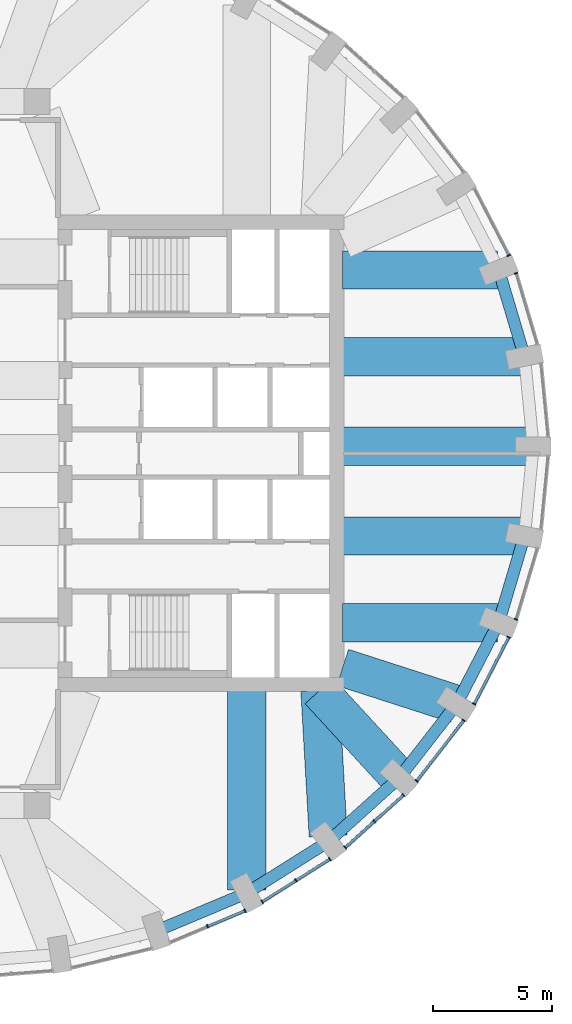
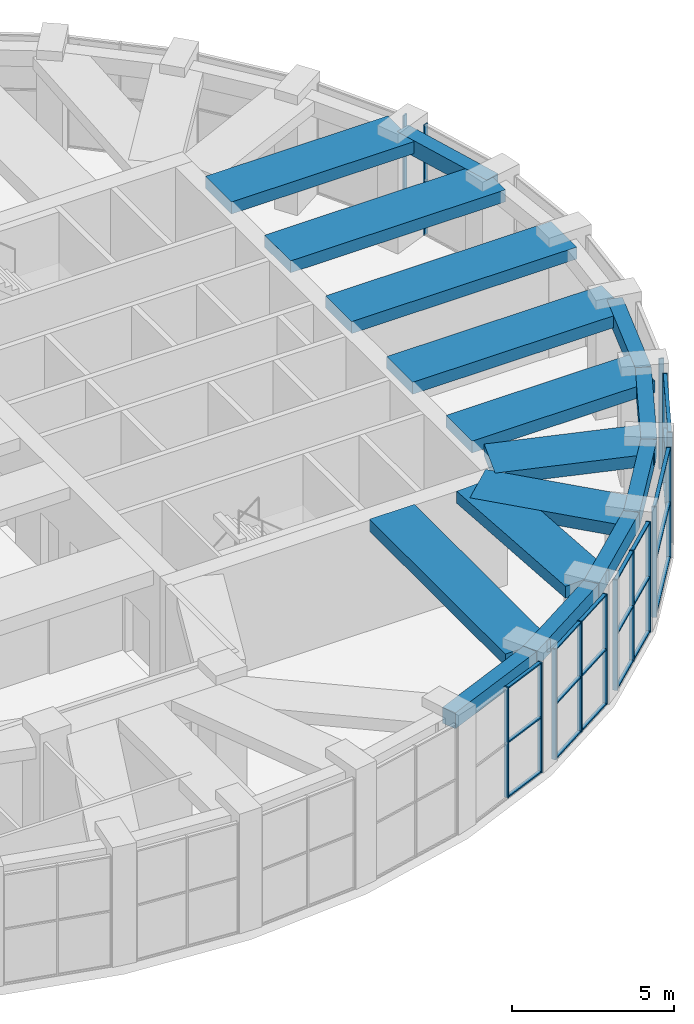
# One storey, part 6 of 17: 36 members, 16 beams, 8 elements without a shape of their own.
"""IFC4 building model written with IfcOpenShell, lengths in metres."""

from ifc_helpers import new_model, si_unit, direction, frame, origin, origin_2d, place, context, subcontext, project, spatial, rectangle, extrude, material, material_profile, profile_set, type_object, element, aggregate, save


model = new_model("IFC4")

# Units and contexts
model_context = context("Model", 3, precision=1e-05, world=origin(), true_north=direction((0.0, 1.0)))
body_context = subcontext(model_context, "Body", "Model", "MODEL_VIEW")
ifc_project = project(units=[si_unit("LENGTHUNIT", "METRE"), si_unit("AREAUNIT", "SQUARE_METRE"), si_unit("VOLUMEUNIT", "CUBIC_METRE"), si_unit("PLANEANGLEUNIT", "RADIAN"), si_unit("MASSUNIT", "GRAM", prefix="KILO")], contexts=[model_context])

# Site, building, storey
site_placement = place(None, origin())
site = spatial("IfcSite", under=ifc_project, at=site_placement, CompositionType="ELEMENT")
building_placement = place(site_placement, origin())
building = spatial("IfcBuilding", under=site, at=building_placement, Name="Taillehof Tower", CompositionType="ELEMENT")
storey_placement = place(building_placement, frame((0.0, 0.0, 259.699951171875)))
storey = spatial("IfcBuildingStorey", under=building, at=storey_placement, Name="L74", CompositionType="ELEMENT", Elevation=259.699951171875)

# Curtain wall, member
ifc_material_1 = material(Name="Aluminium curtain wall with Clear low-emissivity double glazing", Category="aluminium")
curtain_wall_type = type_object("IfcCurtainWallType", Name="Club lounge curtain wall", PredefinedType="USERDEFINED", material=ifc_material_1)
curtain_wall_1_placement = place(storey_placement, origin())
curtain_wall_1 = element("IfcCurtainWall", 1, at=curtain_wall_1_placement, inside=storey, type_object=curtain_wall_type, Name="Club lounge L74 bay 2", ObjectType="WINDOW WALL", PredefinedType="USERDEFINED")
ifc_material_2 = material(Name="Aluminium mullion", Category="aluminium")
ifc_material_profile_1 = material_profile(ifc_material_2, rectangle(XDim=0.159912109375, YDim=0.050048828125, at=origin_2d()), Name="AL 50x160")
ifc_profile_set_1 = profile_set([ifc_material_profile_1], Name="Aluminium mullion")
member_type_1 = type_object("IfcMemberType", Name="Club lounge mullion 50x160", PredefinedType="MULLION", material=ifc_profile_set_1)
member_1_placement = place(storey_placement, frame((23.2275390625, 7.5615234375, 0.0), z_axis=(0.0, 0.0, 1.0), x_axis=(-0.958457446134, -0.285235558707, 0.0)))
member_1 = element("IfcMember", 2, at=member_1_placement, type_object=member_type_1, Name="CT4E02 mullion 2", PredefinedType="MULLION", context=body_context, shape_type="SweptSolid", body=[
    extrude(rectangle(XDim=0.159912109375, YDim=0.050048828125, at=origin_2d()), origin(), (0.0, 0.0, 1.0), 4.150146484375),
])
aggregate(curtain_wall_1, [member_1])

curtain_wall_2_placement = place(storey_placement, origin())
curtain_wall_2 = element("IfcCurtainWall", 3, at=curtain_wall_2_placement, inside=storey, type_object=curtain_wall_type, Name="Club lounge L74 bay 3", ObjectType="WINDOW WALL", PredefinedType="USERDEFINED")
member_2_placement = place(storey_placement, frame((22.92431640625, 8.3125, 0.0), z_axis=(0.0, 0.0, 1.0), x_axis=(-0.887975262702, -0.459891218474, 0.0)))
member_2 = element("IfcMember", 4, at=member_2_placement, type_object=member_type_1, Name="CT4E03 mullion 1", PredefinedType="MULLION", context=body_context, shape_type="SweptSolid", body=[
    extrude(rectangle(XDim=0.159912109375, YDim=0.050048828125, at=origin_2d()), origin(), (0.0, 0.0, 1.0), 4.150146484375),
])
aggregate(curtain_wall_2, [member_2])

# Curtain wall, members
curtain_wall_3_placement = place(storey_placement, origin())
curtain_wall_3 = element("IfcCurtainWall", 5, at=curtain_wall_3_placement, inside=storey, type_object=curtain_wall_type, Name="Club lounge L74 bay 30", ObjectType="WINDOW WALL", PredefinedType="USERDEFINED")
member_3_placement = place(storey_placement, frame((10.28076171875, -19.852783203125, 0.0), z_axis=(0.0, 0.0, 1.0), x_axis=(-0.387100713636, 0.922037438233, 0.0)))
member_3 = element("IfcMember", 6, at=member_3_placement, type_object=member_type_1, Name="CT4E30 mullion 2", PredefinedType="MULLION", context=body_context, shape_type="SweptSolid", body=[
    extrude(rectangle(XDim=0.159912109375, YDim=0.050048828125, at=origin_2d()), origin(), (0.0, 0.0, 1.0), 4.150146484375),
])
member_4_placement = place(storey_placement, frame((11.855224609375, -19.191650390625, 0.0), z_axis=(0.0, 0.0, 1.0), x_axis=(-0.387100713636, 0.922037438233, 0.0)))
member_4 = element("IfcMember", 7, at=member_4_placement, type_object=member_type_1, Name="CT4E30 mullion 3", PredefinedType="MULLION", context=body_context, shape_type="SweptSolid", body=[
    extrude(rectangle(XDim=0.159912109375, YDim=0.050048828125, at=origin_2d()), origin(), (0.0, 0.0, 1.0), 4.150146484375),
])

curtain_wall_4_placement = place(storey_placement, origin())
curtain_wall_4 = element("IfcCurtainWall", 8, at=curtain_wall_4_placement, inside=storey, type_object=curtain_wall_type, Name="Club lounge L74 bay 31", ObjectType="WINDOW WALL", PredefinedType="USERDEFINED")
member_5_placement = place(storey_placement, frame((12.57373046875, -18.817626953125, 0.0), z_axis=(0.0, 0.0, 1.0), x_axis=(-0.533294430468, 0.845929695916, 0.0)))
member_5 = element("IfcMember", 9, at=member_5_placement, type_object=member_type_1, Name="CT4E31 mullion 1", PredefinedType="MULLION", context=body_context, shape_type="SweptSolid", body=[
    extrude(rectangle(XDim=0.159912109375, YDim=0.050048828125, at=origin_2d()), origin(), (0.0, 0.0, 1.0), 4.150146484375),
])
member_6_placement = place(storey_placement, frame((13.99365234375, -17.922607421875, 0.0), z_axis=(0.0, 0.0, 1.0), x_axis=(-0.533294430468, 0.845929695916, 0.0)))
member_6 = element("IfcMember", 10, at=member_6_placement, type_object=member_type_1, Name="CT4E31 mullion 2", PredefinedType="MULLION", context=body_context, shape_type="SweptSolid", body=[
    extrude(rectangle(XDim=0.159912109375, YDim=0.050048828125, at=origin_2d()), origin(), (0.0, 0.0, 1.0), 4.150146484375),
])
member_7_placement = place(storey_placement, frame((15.41357421875, -17.02734375, 0.0), z_axis=(0.0, 0.0, 1.0), x_axis=(-0.533294430468, 0.845929695916, 0.0)))
member_7 = element("IfcMember", 11, at=member_7_placement, type_object=member_type_1, Name="CT4E31 mullion 3", PredefinedType="MULLION", context=body_context, shape_type="SweptSolid", body=[
    extrude(rectangle(XDim=0.159912109375, YDim=0.050048828125, at=origin_2d()), origin(), (0.0, 0.0, 1.0), 4.150146484375),
])

curtain_wall_5_placement = place(storey_placement, origin())
curtain_wall_5 = element("IfcCurtainWall", 12, at=curtain_wall_5_placement, inside=storey, type_object=curtain_wall_type, Name="Club lounge L74 bay 32", ObjectType="WINDOW WALL", PredefinedType="USERDEFINED")
member_8_placement = place(storey_placement, frame((16.0595703125, -16.53857421875, 0.0), z_axis=(0.0, 0.0, 1.0), x_axis=(-0.669107157872, 0.74316593792, 0.0)))
member_8 = element("IfcMember", 13, at=member_8_placement, type_object=member_type_1, Name="CT4E32 mullion 1", PredefinedType="MULLION", context=body_context, shape_type="SweptSolid", body=[
    extrude(rectangle(XDim=0.159912109375, YDim=0.050048828125, at=origin_2d()), origin(), (0.0, 0.0, 1.0), 4.150146484375),
])
member_9_placement = place(storey_placement, frame((17.281982421875, -15.43798828125, 0.0), z_axis=(0.0, 0.0, 1.0), x_axis=(-0.669107157872, 0.74316593792, 0.0)))
member_9 = element("IfcMember", 14, at=member_9_placement, type_object=member_type_1, Name="CT4E32 mullion 2", PredefinedType="MULLION", context=body_context, shape_type="SweptSolid", body=[
    extrude(rectangle(XDim=0.159912109375, YDim=0.050048828125, at=origin_2d()), origin(), (0.0, 0.0, 1.0), 4.150146484375),
])
member_10_placement = place(storey_placement, frame((18.50439453125, -14.33740234375, 0.0), z_axis=(0.0, 0.0, 1.0), x_axis=(-0.669107157872, 0.74316593792, 0.0)))
member_10 = element("IfcMember", 15, at=member_10_placement, type_object=member_type_1, Name="CT4E32 mullion 3", PredefinedType="MULLION", context=body_context, shape_type="SweptSolid", body=[
    extrude(rectangle(XDim=0.159912109375, YDim=0.050048828125, at=origin_2d()), origin(), (0.0, 0.0, 1.0), 4.150146484375),
])

curtain_wall_6_placement = place(storey_placement, origin())
curtain_wall_6 = element("IfcCurtainWall", 16, at=curtain_wall_6_placement, inside=storey, type_object=curtain_wall_type, Name="Club lounge L74 bay 33", ObjectType="WINDOW WALL", PredefinedType="USERDEFINED")
member_11_placement = place(storey_placement, frame((19.05615234375, -13.744384765625, 0.0), z_axis=(0.0, 0.0, 1.0), x_axis=(-0.789381612432, 0.613902818005, 0.0)))
member_11 = element("IfcMember", 17, at=member_11_placement, type_object=member_type_1, Name="CT4E33 mullion 1", PredefinedType="MULLION", context=body_context, shape_type="SweptSolid", body=[
    extrude(rectangle(XDim=0.159912109375, YDim=0.050048828125, at=origin_2d()), origin(), (0.0, 0.0, 1.0), 4.150146484375),
])
member_12_placement = place(storey_placement, frame((21.033935546875, -11.201416015625, 0.0), z_axis=(0.0, 0.0, 1.0), x_axis=(-0.789381612432, 0.613902818005, 0.0)))
member_12 = element("IfcMember", 18, at=member_12_placement, type_object=member_type_1, Name="CT4E33 mullion 2", PredefinedType="MULLION", context=body_context, shape_type="SweptSolid", body=[
    extrude(rectangle(XDim=0.159912109375, YDim=0.050048828125, at=origin_2d()), origin(), (0.0, 0.0, 1.0), 4.150146484375),
])

curtain_wall_7_placement = place(storey_placement, origin())
curtain_wall_7 = element("IfcCurtainWall", 19, at=curtain_wall_7_placement, inside=storey, type_object=curtain_wall_type, Name="Club lounge L74 bay 34", ObjectType="WINDOW WALL", PredefinedType="USERDEFINED")
member_13_placement = place(storey_placement, frame((21.470703125, -10.51904296875, 0.0), z_axis=(0.0, 0.0, 1.0), x_axis=(-0.887975262702, 0.459891218474, 0.0)))
member_13 = element("IfcMember", 20, at=member_13_placement, type_object=member_type_1, Name="CT4E34 mullion 1", PredefinedType="MULLION", context=body_context, shape_type="SweptSolid", body=[
    extrude(rectangle(XDim=0.159912109375, YDim=0.050048828125, at=origin_2d()), origin(), (0.0, 0.0, 1.0), 4.150146484375),
])
member_14_placement = place(storey_placement, frame((22.92431640625, -7.71240234375, 0.0), z_axis=(0.0, 0.0, 1.0), x_axis=(-0.887975262702, 0.459891218474, 0.0)))
member_14 = element("IfcMember", 21, at=member_14_placement, type_object=member_type_1, Name="CT4E34 mullion 2", PredefinedType="MULLION", context=body_context, shape_type="SweptSolid", body=[
    extrude(rectangle(XDim=0.159912109375, YDim=0.050048828125, at=origin_2d()), origin(), (0.0, 0.0, 1.0), 4.150146484375),
])

# Curtain wall, member
curtain_wall_8_placement = place(storey_placement, origin())
curtain_wall_8 = element("IfcCurtainWall", 22, at=curtain_wall_8_placement, inside=storey, type_object=curtain_wall_type, Name="Club lounge L74 bay 35", ObjectType="WINDOW WALL", PredefinedType="USERDEFINED")
member_15_placement = place(storey_placement, frame((23.2275390625, -6.96142578125, 0.0), z_axis=(0.0, 0.0, 1.0), x_axis=(-0.958457446134, 0.285235558707, 0.0)))
member_15 = element("IfcMember", 23, at=member_15_placement, type_object=member_type_1, Name="CT4E35 mullion 1", PredefinedType="MULLION", context=body_context, shape_type="SweptSolid", body=[
    extrude(rectangle(XDim=0.159912109375, YDim=0.050048828125, at=origin_2d()), origin(), (0.0, 0.0, 1.0), 4.150146484375),
])
aggregate(curtain_wall_8, [member_15])

# Member
ifc_material_3 = material(Name="Aluminium transom", Category="aluminium")
ifc_material_profile_2 = material_profile(ifc_material_3, rectangle(XDim=0.1201171875, YDim=0.050048828125, at=origin_2d()), Name="AL 120x50")
ifc_profile_set_2 = profile_set([ifc_material_profile_2], Name="Aluminium transom")
member_type_2 = type_object("IfcMemberType", Name="Club lounge transom 120x50", PredefinedType="USERDEFINED", material=ifc_profile_set_2)
member_16_placement = place(storey_placement, frame((10.3037109375, -19.843017578125, 0.025146484375), z_axis=(0.922067261449, 0.387029669875, 0.0), x_axis=(-0.387029669875, 0.922067261449, 0.0)))
member_16 = element("IfcMember", 24, at=member_16_placement, type_object=member_type_2, Name="CT4E30 transom 2.1", ObjectType="TRANSOM", PredefinedType="USERDEFINED", context=body_context, shape_type="SweptSolid", body=[
    extrude(rectangle(XDim=0.1201171875, YDim=0.050048828125, at=origin_2d()), origin(), (0.0, 0.0, 1.0), 1.65771484375),
])

member_17_placement = place(storey_placement, frame((10.3037109375, -19.843017578125, 2.074951171875), z_axis=(0.922067261449, 0.387029669875, 0.0), x_axis=(-0.387029669875, 0.922067261449, 0.0)))
member_17 = element("IfcMember", 25, at=member_17_placement, type_object=member_type_2, Name="CT4E30 transom 2.2", ObjectType="TRANSOM", PredefinedType="USERDEFINED", context=body_context, shape_type="SweptSolid", body=[
    extrude(rectangle(XDim=0.1201171875, YDim=0.050048828125, at=origin_2d()), origin(), (0.0, 0.0, 1.0), 1.65771484375),
])

member_18_placement = place(storey_placement, frame((10.3037109375, -19.843017578125, 4.125), z_axis=(0.922067261449, 0.387029669875, 0.0), x_axis=(-0.387029669875, 0.922067261449, 0.0)))
member_18 = element("IfcMember", 26, at=member_18_placement, type_object=member_type_2, Name="CT4E30 transom 2.3", ObjectType="TRANSOM", PredefinedType="USERDEFINED", context=body_context, shape_type="SweptSolid", body=[
    extrude(rectangle(XDim=0.1201171875, YDim=0.050048828125, at=origin_2d()), origin(), (0.0, 0.0, 1.0), 1.65771484375),
])

aggregate(curtain_wall_3, [member_3, member_4, member_16, member_17, member_18])

member_19_placement = place(storey_placement, frame((12.594970703125, -18.804443359375, 0.025146484375), z_axis=(0.845894728647, 0.533349892704, 0.0), x_axis=(-0.533349892704, 0.845894728647, 0.0)))
member_19 = element("IfcMember", 27, at=member_19_placement, type_object=member_type_2, Name="CT4E31 transom 1.1", ObjectType="TRANSOM", PredefinedType="USERDEFINED", context=body_context, shape_type="SweptSolid", body=[
    extrude(rectangle(XDim=0.1201171875, YDim=0.050048828125, at=origin_2d()), origin(), (0.0, 0.0, 1.0), 1.628662109375),
])

member_20_placement = place(storey_placement, frame((12.594970703125, -18.804443359375, 2.074951171875), z_axis=(0.845894728647, 0.533349892704, 0.0), x_axis=(-0.533349892704, 0.845894728647, 0.0)))
member_20 = element("IfcMember", 28, at=member_20_placement, type_object=member_type_2, Name="CT4E31 transom 1.2", ObjectType="TRANSOM", PredefinedType="USERDEFINED", context=body_context, shape_type="SweptSolid", body=[
    extrude(rectangle(XDim=0.1201171875, YDim=0.050048828125, at=origin_2d()), origin(), (0.0, 0.0, 1.0), 1.628662109375),
])

member_21_placement = place(storey_placement, frame((12.594970703125, -18.804443359375, 4.125), z_axis=(0.845894728647, 0.533349892704, 0.0), x_axis=(-0.533349892704, 0.845894728647, 0.0)))
member_21 = element("IfcMember", 29, at=member_21_placement, type_object=member_type_2, Name="CT4E31 transom 1.3", ObjectType="TRANSOM", PredefinedType="USERDEFINED", context=body_context, shape_type="SweptSolid", body=[
    extrude(rectangle(XDim=0.1201171875, YDim=0.050048828125, at=origin_2d()), origin(), (0.0, 0.0, 1.0), 1.628662109375),
])

member_22_placement = place(storey_placement, frame((14.014892578125, -17.9091796875, 0.025146484375), z_axis=(0.845962356538, 0.533242619565, 0.0), x_axis=(-0.533242619565, 0.845962356538, 0.0)))
member_22 = element("IfcMember", 30, at=member_22_placement, type_object=member_type_2, Name="CT4E31 transom 2.1", ObjectType="TRANSOM", PredefinedType="USERDEFINED", context=body_context, shape_type="SweptSolid", body=[
    extrude(rectangle(XDim=0.1201171875, YDim=0.050048828125, at=origin_2d()), origin(), (0.0, 0.0, 1.0), 1.628662109375),
])

member_23_placement = place(storey_placement, frame((14.014892578125, -17.9091796875, 2.074951171875), z_axis=(0.845962356538, 0.533242619565, 0.0), x_axis=(-0.533242619565, 0.845962356538, 0.0)))
member_23 = element("IfcMember", 31, at=member_23_placement, type_object=member_type_2, Name="CT4E31 transom 2.2", ObjectType="TRANSOM", PredefinedType="USERDEFINED", context=body_context, shape_type="SweptSolid", body=[
    extrude(rectangle(XDim=0.1201171875, YDim=0.050048828125, at=origin_2d()), origin(), (0.0, 0.0, 1.0), 1.628662109375),
])

member_24_placement = place(storey_placement, frame((14.014892578125, -17.9091796875, 4.125), z_axis=(0.845962356538, 0.533242619565, 0.0), x_axis=(-0.533242619565, 0.845962356538, 0.0)))
member_24 = element("IfcMember", 32, at=member_24_placement, type_object=member_type_2, Name="CT4E31 transom 2.3", ObjectType="TRANSOM", PredefinedType="USERDEFINED", context=body_context, shape_type="SweptSolid", body=[
    extrude(rectangle(XDim=0.1201171875, YDim=0.050048828125, at=origin_2d()), origin(), (0.0, 0.0, 1.0), 1.628662109375),
])

aggregate(curtain_wall_4, [member_5, member_6, member_7, member_19, member_20, member_21, member_22, member_23, member_24])

member_25_placement = place(storey_placement, frame((16.078125, -16.52197265625, 0.025146484375), z_axis=(0.743179963332, 0.669091579757, 0.0), x_axis=(-0.669091579757, 0.743179963332, 0.0)))
member_25 = element("IfcMember", 33, at=member_25_placement, type_object=member_type_2, Name="CT4E32 transom 1.1", ObjectType="TRANSOM", PredefinedType="USERDEFINED", context=body_context, shape_type="SweptSolid", body=[
    extrude(rectangle(XDim=0.1201171875, YDim=0.050048828125, at=origin_2d()), origin(), (0.0, 0.0, 1.0), 1.594970703125),
])

member_26_placement = place(storey_placement, frame((16.078125, -16.52197265625, 2.074951171875), z_axis=(0.743179963332, 0.669091579757, 0.0), x_axis=(-0.669091579757, 0.743179963332, 0.0)))
member_26 = element("IfcMember", 34, at=member_26_placement, type_object=member_type_2, Name="CT4E32 transom 1.2", ObjectType="TRANSOM", PredefinedType="USERDEFINED", context=body_context, shape_type="SweptSolid", body=[
    extrude(rectangle(XDim=0.1201171875, YDim=0.050048828125, at=origin_2d()), origin(), (0.0, 0.0, 1.0), 1.594970703125),
])

member_27_placement = place(storey_placement, frame((16.078125, -16.52197265625, 4.125), z_axis=(0.743179963332, 0.669091579757, 0.0), x_axis=(-0.669091579757, 0.743179963332, 0.0)))
member_27 = element("IfcMember", 35, at=member_27_placement, type_object=member_type_2, Name="CT4E32 transom 1.3", ObjectType="TRANSOM", PredefinedType="USERDEFINED", context=body_context, shape_type="SweptSolid", body=[
    extrude(rectangle(XDim=0.1201171875, YDim=0.050048828125, at=origin_2d()), origin(), (0.0, 0.0, 1.0), 1.594970703125),
])

member_28_placement = place(storey_placement, frame((17.300537109375, -15.42138671875, 0.025146484375), z_axis=(0.743103848855, 0.669176112707, 0.0), x_axis=(-0.669176112707, 0.743103848855, 0.0)))
member_28 = element("IfcMember", 36, at=member_28_placement, type_object=member_type_2, Name="CT4E32 transom 2.1", ObjectType="TRANSOM", PredefinedType="USERDEFINED", context=body_context, shape_type="SweptSolid", body=[
    extrude(rectangle(XDim=0.1201171875, YDim=0.050048828125, at=origin_2d()), origin(), (0.0, 0.0, 1.0), 1.594970703125),
])

member_29_placement = place(storey_placement, frame((17.300537109375, -15.42138671875, 2.074951171875), z_axis=(0.743103848855, 0.669176112707, 0.0), x_axis=(-0.669176112707, 0.743103848855, 0.0)))
member_29 = element("IfcMember", 37, at=member_29_placement, type_object=member_type_2, Name="CT4E32 transom 2.2", ObjectType="TRANSOM", PredefinedType="USERDEFINED", context=body_context, shape_type="SweptSolid", body=[
    extrude(rectangle(XDim=0.1201171875, YDim=0.050048828125, at=origin_2d()), origin(), (0.0, 0.0, 1.0), 1.594970703125),
])

member_30_placement = place(storey_placement, frame((17.300537109375, -15.42138671875, 4.125), z_axis=(0.743103848855, 0.669176112707, 0.0), x_axis=(-0.669176112707, 0.743103848855, 0.0)))
member_30 = element("IfcMember", 38, at=member_30_placement, type_object=member_type_2, Name="CT4E32 transom 2.3", ObjectType="TRANSOM", PredefinedType="USERDEFINED", context=body_context, shape_type="SweptSolid", body=[
    extrude(rectangle(XDim=0.1201171875, YDim=0.050048828125, at=origin_2d()), origin(), (0.0, 0.0, 1.0), 1.594970703125),
])

aggregate(curtain_wall_5, [member_8, member_9, member_10, member_25, member_26, member_27, member_28, member_29, member_30])

member_31_placement = place(storey_placement, frame((19.071533203125, -13.724609375, 0.025146484375), z_axis=(0.613887320716, 0.789393664444, 0.0), x_axis=(-0.789393664444, 0.613887320716, 0.0)))
member_31 = element("IfcMember", 39, at=member_31_placement, type_object=member_type_2, Name="CT4E33 transom 1.1", ObjectType="TRANSOM", PredefinedType="USERDEFINED", context=body_context, shape_type="SweptSolid", body=[
    extrude(rectangle(XDim=0.1201171875, YDim=0.050048828125, at=origin_2d()), origin(), (0.0, 0.0, 1.0), 3.171630859375),
])

member_32_placement = place(storey_placement, frame((19.071533203125, -13.724609375, 2.074951171875), z_axis=(0.613887320716, 0.789393664444, 0.0), x_axis=(-0.789393664444, 0.613887320716, 0.0)))
member_32 = element("IfcMember", 40, at=member_32_placement, type_object=member_type_2, Name="CT4E33 transom 1.2", ObjectType="TRANSOM", PredefinedType="USERDEFINED", context=body_context, shape_type="SweptSolid", body=[
    extrude(rectangle(XDim=0.1201171875, YDim=0.050048828125, at=origin_2d()), origin(), (0.0, 0.0, 1.0), 3.171630859375),
])

member_33_placement = place(storey_placement, frame((19.071533203125, -13.724609375, 4.125), z_axis=(0.613887320716, 0.789393664444, 0.0), x_axis=(-0.789393664444, 0.613887320716, 0.0)))
member_33 = element("IfcMember", 41, at=member_33_placement, type_object=member_type_2, Name="CT4E33 transom 1.3", ObjectType="TRANSOM", PredefinedType="USERDEFINED", context=body_context, shape_type="SweptSolid", body=[
    extrude(rectangle(XDim=0.1201171875, YDim=0.050048828125, at=origin_2d()), origin(), (0.0, 0.0, 1.0), 3.171630859375),
])

aggregate(curtain_wall_6, [member_11, member_12, member_31, member_32, member_33])

member_34_placement = place(storey_placement, frame((21.482177734375, -10.4970703125, 0.025146484375), z_axis=(0.459881873637, 0.887980102424, 0.0), x_axis=(-0.887980102424, 0.459881873637, 0.0)))
member_34 = element("IfcMember", 42, at=member_34_placement, type_object=member_type_2, Name="CT4E34 transom 1.1", ObjectType="TRANSOM", PredefinedType="USERDEFINED", context=body_context, shape_type="SweptSolid", body=[
    extrude(rectangle(XDim=0.1201171875, YDim=0.050048828125, at=origin_2d()), origin(), (0.0, 0.0, 1.0), 3.11083984375),
])

member_35_placement = place(storey_placement, frame((21.482177734375, -10.4970703125, 2.074951171875), z_axis=(0.459881873637, 0.887980102424, 0.0), x_axis=(-0.887980102424, 0.459881873637, 0.0)))
member_35 = element("IfcMember", 43, at=member_35_placement, type_object=member_type_2, Name="CT4E34 transom 1.2", ObjectType="TRANSOM", PredefinedType="USERDEFINED", context=body_context, shape_type="SweptSolid", body=[
    extrude(rectangle(XDim=0.1201171875, YDim=0.050048828125, at=origin_2d()), origin(), (0.0, 0.0, 1.0), 3.11083984375),
])

member_36_placement = place(storey_placement, frame((21.482177734375, -10.4970703125, 4.125), z_axis=(0.459881873637, 0.887980102424, 0.0), x_axis=(-0.887980102424, 0.459881873637, 0.0)))
member_36 = element("IfcMember", 44, at=member_36_placement, type_object=member_type_2, Name="CT4E34 transom 1.3", ObjectType="TRANSOM", PredefinedType="USERDEFINED", context=body_context, shape_type="SweptSolid", body=[
    extrude(rectangle(XDim=0.1201171875, YDim=0.050048828125, at=origin_2d()), origin(), (0.0, 0.0, 1.0), 3.11083984375),
])

aggregate(curtain_wall_7, [member_13, member_14, member_34, member_35, member_36])

# Beams
ifc_material_4 = material(Name="Concrete C50/60", Category="concrete")
ifc_material_profile_3 = material_profile(ifc_material_4, rectangle(XDim=1.60009765625, YDim=0.449951171875, at=origin_2d()), Name="RC 1600x450")
ifc_profile_set_3 = profile_set([ifc_material_profile_3], Name="Concrete C50/60")
beam_type_1 = type_object("IfcBeamType", Name="Radial band beam C50/60 1600x450", PredefinedType="BEAM", material=ifc_profile_set_3)
beam_1_placement = place(storey_placement, frame((23.949951171875, 0.300048828125, 3.925048828125), z_axis=(-1.0, 0.0, 0.0), x_axis=(0.0, -1.0, 0.0)))
element("IfcBeam", 45, at=beam_1_placement, inside=storey, type_object=beam_type_1, Name="Radial band beam RB01", PredefinedType="BEAM", context=body_context, shape_type="SweptSolid", body=[
    extrude(rectangle(XDim=1.60009765625, YDim=0.449951171875, at=origin_2d()), origin(), (0.0, 0.0, 1.0), 8.0),
])
beam_2_placement = place(storey_placement, frame((23.584716796875, 4.0595703125, 3.925048828125), z_axis=(-1.0, 0.0, 0.0), x_axis=(0.0, -1.0, 0.0)))
element("IfcBeam", 46, at=beam_2_placement, inside=storey, type_object=beam_type_1, Name="Radial band beam RB02", PredefinedType="BEAM", context=body_context, shape_type="SweptSolid", body=[
    extrude(rectangle(XDim=1.60009765625, YDim=0.449951171875, at=origin_2d()), origin(), (0.0, 0.0, 1.0), 7.634765625),
])
beam_3_placement = place(storey_placement, frame((22.44580078125, 7.704833984375, 3.925048828125), z_axis=(-1.0, 0.0, 0.0), x_axis=(0.0, -1.0, 0.0)))
element("IfcBeam", 47, at=beam_3_placement, inside=storey, type_object=beam_type_1, Name="Radial band beam RB03", PredefinedType="BEAM", context=body_context, shape_type="SweptSolid", body=[
    extrude(rectangle(XDim=1.60009765625, YDim=0.449951171875, at=origin_2d()), origin(), (0.0, 0.0, 1.0), 6.495849609375),
])
beam_4_placement = place(storey_placement, frame((11.925048828125, -18.3154296875, 3.925048828125), z_axis=(0.0, 1.0, 0.0), x_axis=(-1.0, 0.0, 0.0)))
element("IfcBeam", 48, at=beam_4_placement, inside=storey, type_object=beam_type_1, Name="Radial band beam RB31", PredefinedType="BEAM", context=body_context, shape_type="SweptSolid", body=[
    extrude(rectangle(XDim=1.60009765625, YDim=0.449951171875, at=origin_2d()), origin(), (0.0, 0.0, 1.0), 8.365478515625),
])
beam_5_placement = place(storey_placement, frame((15.345703125, -16.050537109375, 3.925048828125), z_axis=(-0.057056617778, 0.998370944273, 0.0), x_axis=(-0.998370944273, -0.057056617778, 0.0)))
element("IfcBeam", 49, at=beam_5_placement, inside=storey, type_object=beam_type_1, Name="Radial band beam RB32", PredefinedType="BEAM", context=body_context, shape_type="SweptSolid", body=[
    extrude(rectangle(XDim=1.60009765625, YDim=0.449951171875, at=origin_2d()), origin(), (0.0, 0.0, 1.0), 6.1103515625),
])
beam_6_placement = place(storey_placement, frame((18.323486328125, -13.616455078125, 3.925048828125), z_axis=(-0.676659897365, 0.736295717289, 0.0), x_axis=(-0.736295717289, -0.676659897365, 0.0)))
element("IfcBeam", 50, at=beam_6_placement, inside=storey, type_object=beam_type_1, Name="Radial band beam RB33", PredefinedType="BEAM", context=body_context, shape_type="SweptSolid", body=[
    extrude(rectangle(XDim=1.60009765625, YDim=0.449951171875, at=origin_2d()), origin(), (0.0, 0.0, 1.0), 4.961669921875),
])
beam_7_placement = place(storey_placement, frame((20.72802734375, -10.52490234375, 3.925048828125), z_axis=(-0.951722832358, 0.306958711178, 0.0), x_axis=(-0.306958711178, -0.951722832358, 0.0)))
element("IfcBeam", 51, at=beam_7_placement, inside=storey, type_object=beam_type_1, Name="Radial band beam RB34", PredefinedType="BEAM", context=body_context, shape_type="SweptSolid", body=[
    extrude(rectangle(XDim=1.60009765625, YDim=0.449951171875, at=origin_2d()), origin(), (0.0, 0.0, 1.0), 5.017822265625),
])
beam_8_placement = place(storey_placement, frame((22.44580078125, -7.104736328125, 3.925048828125), z_axis=(-1.0, 0.0, 0.0), x_axis=(0.0, -1.0, 0.0)))
element("IfcBeam", 52, at=beam_8_placement, inside=storey, type_object=beam_type_1, Name="Radial band beam RB35", PredefinedType="BEAM", context=body_context, shape_type="SweptSolid", body=[
    extrude(rectangle(XDim=1.60009765625, YDim=0.449951171875, at=origin_2d()), origin(), (0.0, 0.0, 1.0), 6.495849609375),
])
beam_9_placement = place(storey_placement, frame((23.584716796875, -3.45947265625, 3.925048828125), z_axis=(-1.0, 0.0, 0.0), x_axis=(0.0, -1.0, 0.0)))
element("IfcBeam", 53, at=beam_9_placement, inside=storey, type_object=beam_type_1, Name="Radial band beam RB36", PredefinedType="BEAM", context=body_context, shape_type="SweptSolid", body=[
    extrude(rectangle(XDim=1.60009765625, YDim=0.449951171875, at=origin_2d()), origin(), (0.0, 0.0, 1.0), 7.634765625),
])
ifc_material_5 = material(Name="Concrete C50/60", Category="concrete")
ifc_material_profile_4 = material_profile(ifc_material_5, rectangle(XDim=0.5, YDim=0.60009765625, at=origin_2d()), Name="RC 500x600")
ifc_profile_set_4 = profile_set([ifc_material_profile_4], Name="Concrete C50/60")
beam_type_2 = type_object("IfcBeamType", Name="Spandrel beam C50/60 500x600", PredefinedType="SPANDREL", material=ifc_profile_set_4)
beam_10_placement = place(storey_placement, frame((23.584716796875, 4.0595703125, 3.85009765625), z_axis=(-0.285327303248, 0.95843013831, 0.0), x_axis=(-0.95843013831, -0.285327303248, 0.0)))
element("IfcBeam", 54, at=beam_10_placement, inside=storey, type_object=beam_type_2, Name="Spandrel beam SB02", PredefinedType="SPANDREL", context=body_context, shape_type="SweptSolid", body=[
    extrude(rectangle(XDim=0.5, YDim=0.60009765625, at=origin_2d()), origin(), (0.0, 0.0, 1.0), 3.803466796875),
])
beam_11_placement = place(storey_placement, frame((8.12548828125, -20.04443359375, 3.85009765625), z_axis=(0.922055276152, 0.38705822265, 0.0), x_axis=(-0.38705822265, 0.922055276152, 0.0)))
element("IfcBeam", 55, at=beam_11_placement, inside=storey, type_object=beam_type_2, Name="Spandrel beam SB30", PredefinedType="SPANDREL", context=body_context, shape_type="SweptSolid", body=[
    extrude(rectangle(XDim=0.5, YDim=0.60009765625, at=origin_2d()), origin(), (0.0, 0.0, 1.0), 4.120849609375),
])
beam_12_placement = place(storey_placement, frame((11.925048828125, -18.449462890625, 3.85009765625), z_axis=(0.845971606716, 0.533227944344, 0.0), x_axis=(-0.533227944344, 0.845971606716, 0.0)))
element("IfcBeam", 56, at=beam_12_placement, inside=storey, type_object=beam_type_2, Name="Spandrel beam SB31", PredefinedType="SPANDREL", context=body_context, shape_type="SweptSolid", body=[
    extrude(rectangle(XDim=0.5, YDim=0.60009765625, at=origin_2d()), origin(), (0.0, 0.0, 1.0), 4.059326171875),
])
beam_13_placement = place(storey_placement, frame((15.359130859375, -16.284912109375, 3.85009765625), z_axis=(0.743227182134, 0.669039128704, 0.0), x_axis=(-0.669039128704, 0.743227182134, 0.0)))
element("IfcBeam", 57, at=beam_13_placement, inside=storey, type_object=beam_type_2, Name="Spandrel beam SB32", PredefinedType="SPANDREL", context=body_context, shape_type="SweptSolid", body=[
    extrude(rectangle(XDim=0.5, YDim=0.60009765625, at=origin_2d()), origin(), (0.0, 0.0, 1.0), 3.988525390625),
])
beam_14_placement = place(storey_placement, frame((18.323486328125, -13.616455078125, 3.85009765625), z_axis=(0.613940613515, 0.789352217376, 0.0), x_axis=(-0.789352217376, 0.613940613515, 0.0)))
element("IfcBeam", 58, at=beam_14_placement, inside=storey, type_object=beam_type_2, Name="Spandrel beam SB33", PredefinedType="SPANDREL", context=body_context, shape_type="SweptSolid", body=[
    extrude(rectangle(XDim=0.5, YDim=0.60009765625, at=origin_2d()), origin(), (0.0, 0.0, 1.0), 3.91650390625),
])
beam_15_placement = place(storey_placement, frame((20.72802734375, -10.52490234375, 3.85009765625), z_axis=(0.45992118545, 0.887959741865, 0.0), x_axis=(-0.887959741865, 0.45992118545, 0.0)))
element("IfcBeam", 59, at=beam_15_placement, inside=storey, type_object=beam_type_2, Name="Spandrel beam SB34", PredefinedType="SPANDREL", context=body_context, shape_type="SweptSolid", body=[
    extrude(rectangle(XDim=0.5, YDim=0.60009765625, at=origin_2d()), origin(), (0.0, 0.0, 1.0), 3.851806640625),
])
beam_16_placement = place(storey_placement, frame((22.49951171875, -7.104736328125, 3.85009765625), z_axis=(0.285327303248, 0.95843013831, 0.0), x_axis=(-0.95843013831, 0.285327303248, 0.0)))
element("IfcBeam", 60, at=beam_16_placement, inside=storey, type_object=beam_type_2, Name="Spandrel beam SB35", PredefinedType="SPANDREL", context=body_context, shape_type="SweptSolid", body=[
    extrude(rectangle(XDim=0.5, YDim=0.60009765625, at=origin_2d()), origin(), (0.0, 0.0, 1.0), 3.803466796875),
])

save(model, "model.ifc")
